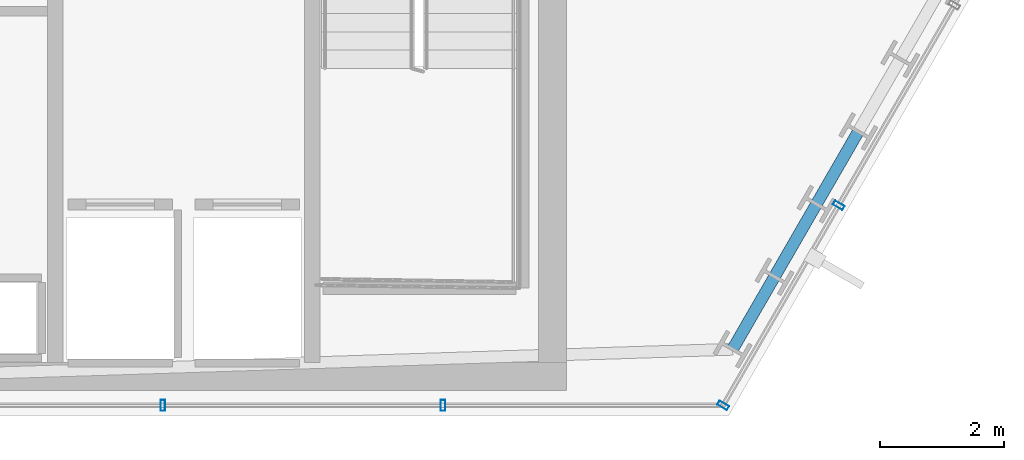
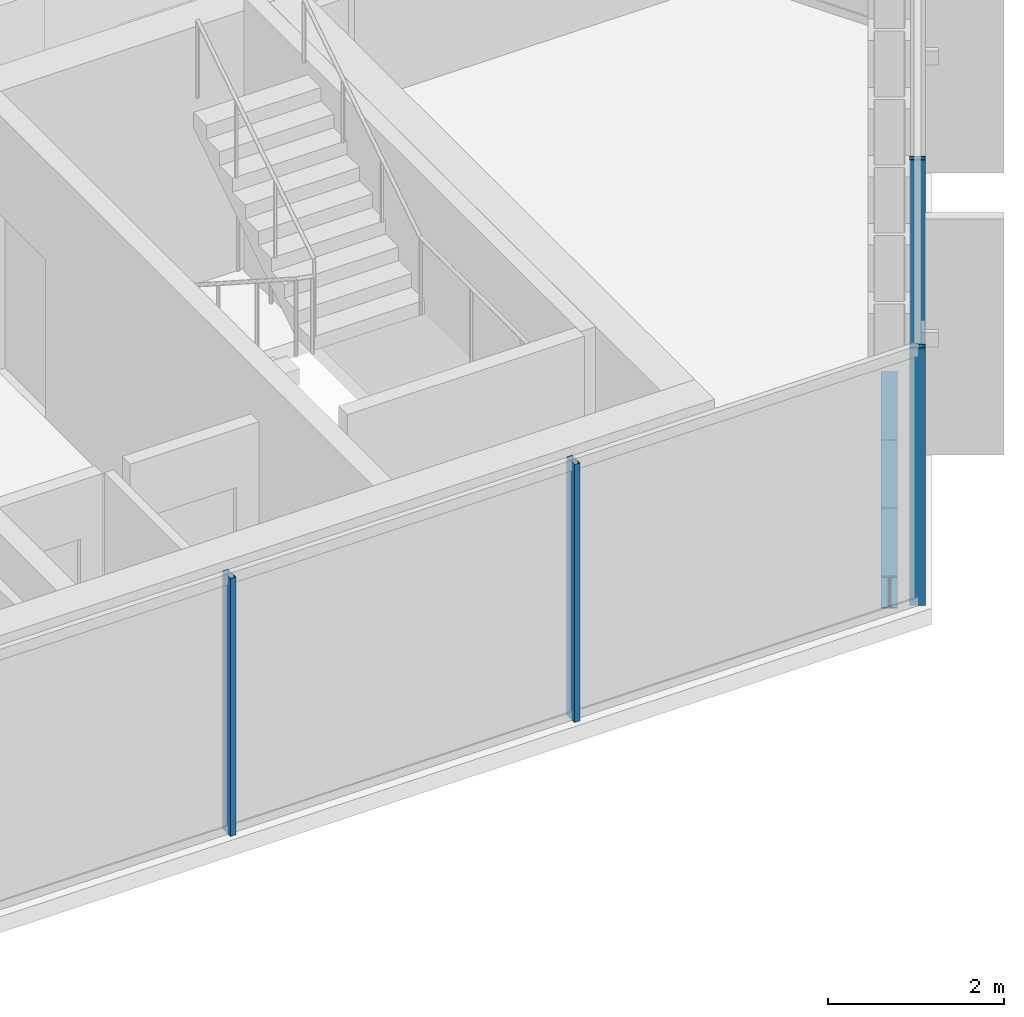
# One storey, part 16 of 33: 4 members, 3 beams, 2 elements without a shape of their own.
"""IFC4 building model written with IfcOpenShell, lengths in metres."""

from ifc_helpers import new_model, si_unit, direction, frame, origin, origin_2d, place, context, subcontext, project, spatial, hollow_rectangle, i_section, extrude, material, layer, layer_set, material_profile, profile_set, type_object, element, aggregate, save


model = new_model("IFC4")

# Units and contexts
model_context = context("Model", 3, precision=1e-05, world=origin(), true_north=direction((0.0, 1.0)))
body_context = subcontext(model_context, "Body", "Model", "MODEL_VIEW")
ifc_project = project(units=[si_unit("LENGTHUNIT", "METRE"), si_unit("AREAUNIT", "SQUARE_METRE"), si_unit("VOLUMEUNIT", "CUBIC_METRE"), si_unit("PLANEANGLEUNIT", "RADIAN"), si_unit("MASSUNIT", "GRAM", prefix="KILO")], contexts=[model_context])

# Site, building, storey
site_placement = place(None, origin())
site = spatial("IfcSite", under=ifc_project, at=site_placement, CompositionType="ELEMENT")
building_placement = place(site_placement, origin())
building = spatial("IfcBuilding", under=site, at=building_placement, Name="Ndaravel Arena Tower", CompositionType="ELEMENT")
storey_placement = place(building_placement, frame((0.0, 0.0, 153.60009765625)))
storey = spatial("IfcBuildingStorey", under=building, at=storey_placement, Name="L36", CompositionType="ELEMENT", Elevation=153.60009765625)

# Beams
ifc_material_1 = material(Name="Steel S355", Category="steel")
ifc_material_profile_1 = material_profile(ifc_material_1, i_section(OverallWidth=0.18994140625, OverallDepth=0.449951171875, WebThickness=0.009521484375, FlangeThickness=0.0146484375, FilletRadius=0.02099609375, at=origin_2d()), Name="IPE 450")
ifc_profile_set_1 = profile_set([ifc_material_profile_1], Name="Steel S355")
beam_type = type_object("IfcBeamType", Name="BM-SPAN-IPE450", PredefinedType="SPANDREL", material=ifc_profile_set_1)
for number, where, z_axis, x_axis, name in (
    (1, (60.22900390625, 6.065185546875, -0.445068359375), (0.499868360126, 0.866101392762, 0.0), (-0.866101392762, 0.499868360126, 0.0), "L36 Perimeter Spandrel Beam SP-02"),
    (2, (60.90478515625, 7.236083984375, -0.445068359375), (0.500082007311, 0.865978051664, 0.0), (-0.865978051664, 0.500082007311, 0.0), "L36 Perimeter Spandrel Beam SP-03"),
    (3, (61.580810546875, 8.40673828125, -0.445068359375), (0.49994655361, 0.866056258873, 0.0), (-0.866056258873, 0.49994655361, 0.0), "L36 Perimeter Spandrel Beam SP-04"),
):
    element("IfcBeam", number, at=place(storey_placement, frame(where, z_axis=z_axis, x_axis=x_axis)), inside=storey, type_object=beam_type, Name=name, PredefinedType="SPANDREL", context=body_context, shape_type="SweptSolid", body=[
        extrude(i_section(OverallWidth=0.18994140625, OverallDepth=0.449951171875, WebThickness=0.009521484375, FlangeThickness=0.0146484375, FilletRadius=0.02099609375, at=origin_2d()), origin(), (0.0, 0.0, 1.0), 1.351806640625),
    ])

# Curtain wall, members
ifc_material_2 = material(Name="Aluminium", Category="aluminium")
ifc_layer_1 = layer(ifc_material_2, 0.179931640625)
ifc_layer_set_1 = layer_set([ifc_layer_1], Name="Aluminium")
curtain_wall_type_1 = type_object("IfcCurtainWallType", Name="CW-SYS-03", PredefinedType="NOTDEFINED", material=ifc_layer_set_1)
curtain_wall_1_placement = place(storey_placement, origin())
curtain_wall_1 = element("IfcCurtainWall", 4, at=curtain_wall_1_placement, inside=storey, type_object=curtain_wall_type_1, Name="L36 Faceted Crystal Curtain Wall CW-L36-E01", PredefinedType="NOTDEFINED")
ifc_material_3 = material(Name="Aluminium", Category="aluminium")
ifc_material_profile_2 = material_profile(ifc_material_3, hollow_rectangle(XDim=0.074951171875, YDim=0.179931640625, WallThickness=0.00390625, at=origin_2d()), Name="CW MULLION 75x180x4")
ifc_profile_set_2 = profile_set([ifc_material_profile_2], Name="Aluminium")
member_type = type_object("IfcMemberType", Name="MEM-CW-MUL180", PredefinedType="MULLION", material=ifc_profile_set_2)
member_1_placement = place(storey_placement, frame((51.037841796875, 5.159912109375, 0.0), z_axis=(0.0, 0.0, 1.0), x_axis=(1.0, 0.0, 0.0)))
member_1 = element("IfcMember", 5, at=member_1_placement, type_object=member_type, Name="CW-L36-E01 Mullion 06", PredefinedType="MULLION", context=body_context, shape_type="SweptSolid", body=[
    extrude(hollow_rectangle(XDim=0.074951171875, YDim=0.179931640625, WallThickness=0.00390625, at=origin_2d()), origin(), (0.0, 0.0, 1.0), 3.579833984375),
])
member_2_placement = place(storey_placement, frame((55.556884765625, 5.159912109375, 0.0), z_axis=(0.0, 0.0, 1.0), x_axis=(1.0, 0.0, 0.0)))
member_2 = element("IfcMember", 6, at=member_2_placement, type_object=member_type, Name="CW-L36-E01 Mullion 07", PredefinedType="MULLION", context=body_context, shape_type="SweptSolid", body=[
    extrude(hollow_rectangle(XDim=0.074951171875, YDim=0.179931640625, WallThickness=0.00390625, at=origin_2d()), origin(), (0.0, 0.0, 1.0), 3.579833984375),
])
aggregate(curtain_wall_1, [member_1, member_2])

ifc_material_4 = material(Name="Aluminium", Category="aluminium")
ifc_layer_2 = layer(ifc_material_4, 0.179931640625)
ifc_layer_set_2 = layer_set([ifc_layer_2], Name="Aluminium")
curtain_wall_type_2 = type_object("IfcCurtainWallType", Name="CW-SYS-01", PredefinedType="NOTDEFINED", material=ifc_layer_set_2)
curtain_wall_2_placement = place(storey_placement, origin())
curtain_wall_2 = element("IfcCurtainWall", 7, at=curtain_wall_2_placement, inside=storey, type_object=curtain_wall_type_2, Name="L36 Faceted Crystal Curtain Wall CW-L36-E02", PredefinedType="NOTDEFINED")
member_3_placement = place(storey_placement, frame((60.07568359375, 5.159912109375, 0.0), z_axis=(0.0, 0.0, 1.0), x_axis=(0.5, 0.866025403784, 0.0)))
member_3 = element("IfcMember", 8, at=member_3_placement, type_object=member_type, Name="CW-L36-E02 Mullion 00", PredefinedType="MULLION", context=body_context, shape_type="SweptSolid", body=[
    extrude(hollow_rectangle(XDim=0.074951171875, YDim=0.179931640625, WallThickness=0.00390625, at=origin_2d()), origin(), (0.0, 0.0, 1.0), 3.579833984375),
])
member_4_placement = place(storey_placement, frame((61.939697265625, 8.388427734375, 0.0), z_axis=(0.0, 0.0, 1.0), x_axis=(0.5, 0.866025403784, 0.0)))
member_4 = element("IfcMember", 9, at=member_4_placement, type_object=member_type, Name="CW-L36-E02 Mullion 01", PredefinedType="MULLION", context=body_context, shape_type="SweptSolid", body=[
    extrude(hollow_rectangle(XDim=0.074951171875, YDim=0.179931640625, WallThickness=0.00390625, at=origin_2d()), origin(), (0.0, 0.0, 1.0), 3.579833984375),
])
aggregate(curtain_wall_2, [member_3, member_4])

save(model, "model.ifc")
